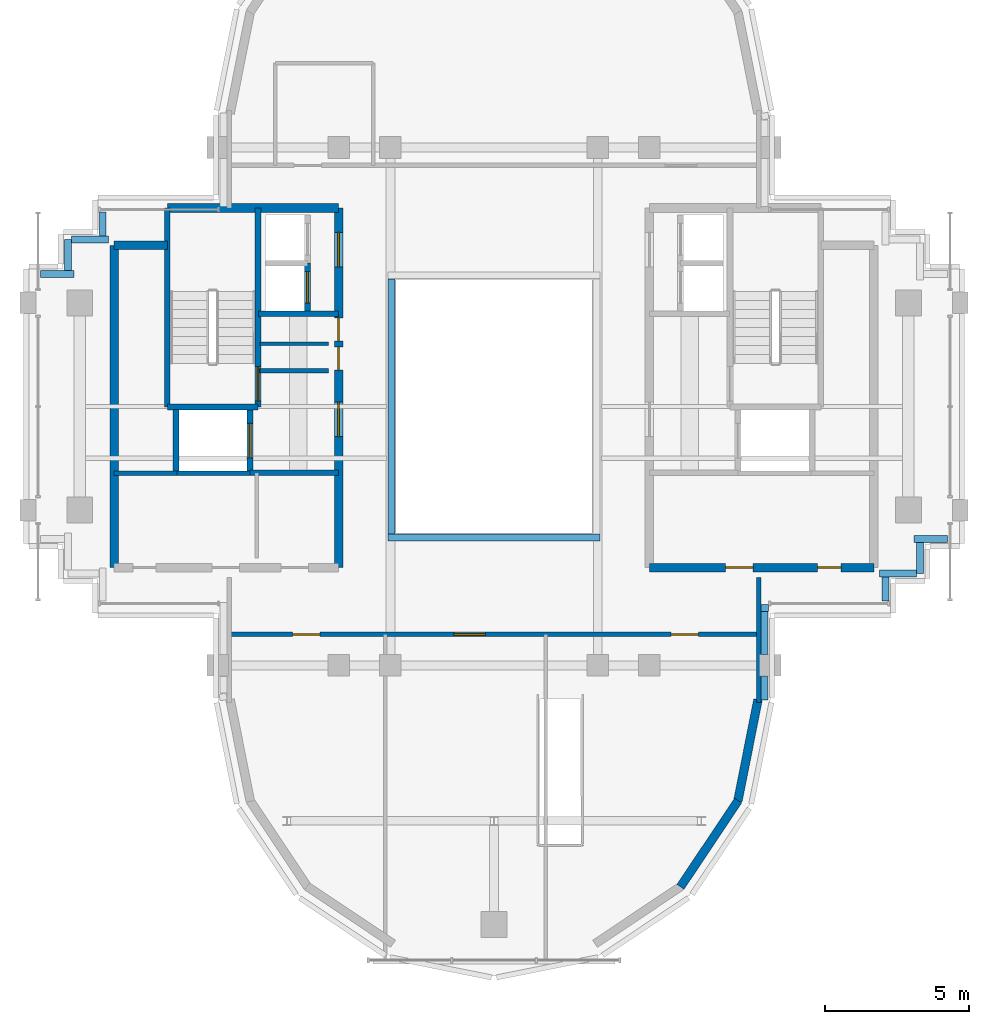
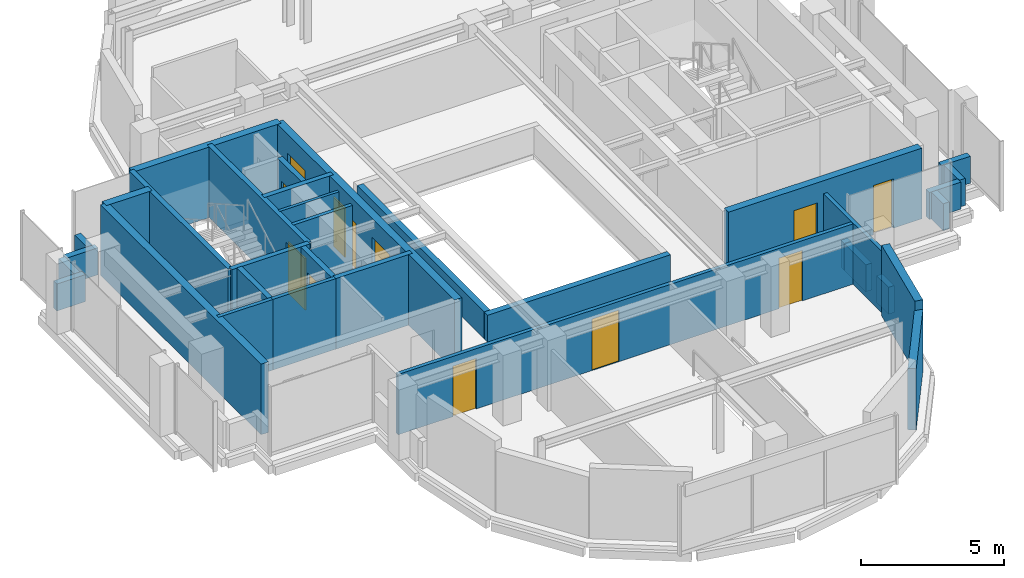
# One storey, part 7 of 11: 34 walls, 12 doors, 12 openings.
"""IFC4 building model written with IfcOpenShell, lengths in metres."""

from ifc_helpers import new_model, si_unit, direction, frame, frame_2d, origin, place, context, subcontext, project, spatial, rectangle, extrude, source, transform, mapped, material, layer, layer_set, type_object, element, fill, save


model = new_model("IFC4")

# Units and contexts
model_context = context("Model", 3, precision=1e-05, world=origin(), true_north=direction((0.0, 1.0)))
body_context = subcontext(model_context, "Body", "Model", "MODEL_VIEW")
ifc_project = project(units=[si_unit("LENGTHUNIT", "METRE"), si_unit("AREAUNIT", "SQUARE_METRE"), si_unit("VOLUMEUNIT", "CUBIC_METRE"), si_unit("PLANEANGLEUNIT", "RADIAN"), si_unit("MASSUNIT", "GRAM", prefix="KILO")], contexts=[model_context])

# Site, building, storey
site_placement = place(None, origin())
site = spatial("IfcSite", under=ifc_project, at=site_placement, CompositionType="ELEMENT")
building_placement = place(site_placement, origin())
building = spatial("IfcBuilding", under=site, at=building_placement, Name="Keilestroom Media Tower", CompositionType="ELEMENT")
storey_placement = place(building_placement, frame((0.0, 0.0, 255.60009765625)))
storey = spatial("IfcBuildingStorey", under=building, at=storey_placement, Name="L71", CompositionType="ELEMENT", Elevation=255.60009765625)

# Walls
ifc_material_1 = material(Name="Precast concrete C40/50", Category="concrete")
ifc_layer_1 = layer(ifc_material_1, 0.300048828125)
ifc_layer_set_1 = layer_set([ifc_layer_1], Name="Precast concrete C40/50")
wall_type_1 = type_object("IfcWallType", Name="Exterior-Masonry-Spandrel-Wall-300", PredefinedType="SOLIDWALL", material=ifc_layer_set_1)
wall_1_placement = place(storey_placement, frame((6.47705078125, -16.697998046875, 0.0), z_axis=(0.0, 0.0, 1.0), x_axis=(0.555574187116, 0.831466970246, 0.0)))
element("IfcWall", 1, at=wall_1_placement, inside=storey, type_object=wall_type_1, Name="L71 Lobe Facet Precast Frame Wall 11", PredefinedType="SOLIDWALL", context=body_context, shape_type="SweptSolid", body=[
    extrude(rectangle(XDim=3.608642578125, YDim=0.300048828125, at=frame_2d((1.80419921875, 0.0))), origin(), (0.0, 0.0, 1.0), 2.60986328125),
])
wall_2_placement = place(storey_placement, frame((8.470703125, -13.724609375, 0.0), z_axis=(0.0, 0.0, 1.0), x_axis=(0.195114232679, 0.980780523974, 0.0)))
element("IfcWall", 2, at=wall_2_placement, inside=storey, type_object=wall_type_1, Name="L71 Lobe Facet Precast Frame Wall 12", PredefinedType="SOLIDWALL", context=body_context, shape_type="SweptSolid", body=[
    extrude(rectangle(XDim=3.608642578125, YDim=0.300048828125, at=frame_2d((1.80419921875, 0.0))), origin(), (0.0, 0.0, 1.0), 3.010009765625),
])
ifc_material_2 = material(Name="Gypsum Plasterboard & Steel Stud", Category="steel")
ifc_layer_2 = layer(ifc_material_2, 0.1201171875)
ifc_layer_set_2 = layer_set([ifc_layer_2], Name="Gypsum Plasterboard & Steel Stud")
wall_type_2 = type_object("IfcWallType", Name="Interior-Partition-Wall-120", PredefinedType="PARTITIONING", material=ifc_layer_set_2)
wall_3_placement = place(storey_placement, frame((-8.139892578125, 2.179931640625, 0.0), z_axis=(0.0, 0.0, 1.0), x_axis=(1.0, 0.0, 0.0)))
element("IfcWall", 3, at=wall_3_placement, inside=storey, type_object=wall_type_2, Name="L71 Interior Wall WP-L71-CNW-N", PredefinedType="PARTITIONING", context=body_context, shape_type="SweptSolid", body=[
    extrude(rectangle(XDim=2.389892578125, YDim=0.1201171875, at=frame_2d((1.19482421875, 0.0))), origin(), (0.0, 0.0, 1.0), 3.010009765625),
])
ifc_layer_3 = layer(ifc_material_2, 0.14990234375)
ifc_layer_set_3 = layer_set([ifc_layer_3], Name="Gypsum Plasterboard & Steel Stud")
wall_type_3 = type_object("IfcWallType", Name="Interior-Partition-Wall-150", PredefinedType="PARTITIONING", material=ifc_layer_set_3)
wall_4_placement = place(storey_placement, frame((-8.139892578125, 1.239990234375, 0.0), z_axis=(0.0, 0.0, 1.0), x_axis=(1.0, 0.0, 0.0)))
element("IfcWall", 4, at=wall_4_placement, inside=storey, type_object=wall_type_3, Name="L71 Interior Wall WP-L71-FFW-TOP", PredefinedType="PARTITIONING", context=body_context, shape_type="SweptSolid", body=[
    extrude(rectangle(XDim=2.389892578125, YDim=0.14990234375, at=frame_2d((1.19482421875, 0.0))), origin(), (0.0, 0.0, 1.0), 3.010009765625),
])
wall_5_placement = place(storey_placement, frame((-13.199951171875, -2.320068359375, 0.0), z_axis=(0.0, 0.0, 1.0), x_axis=(1.0, 0.0, 0.0)))
element("IfcWall", 5, at=wall_5_placement, inside=storey, type_object=wall_type_3, Name="L71 Interior Wall WP-L71-RECLW-N", PredefinedType="PARTITIONING", context=body_context, shape_type="SweptSolid", body=[
    extrude(rectangle(XDim=2.179931640625, YDim=0.14990234375, at=frame_2d((1.08984375, 0.0))), origin(), (0.0, 0.0, 1.0), 3.010009765625),
])
wall_6_placement = place(storey_placement, frame((-11.0400390625, -2.320068359375, 0.0), z_axis=(0.0, 0.0, 1.0), x_axis=(1.0, 0.0, 0.0)))
element("IfcWall", 6, at=wall_6_placement, inside=storey, type_object=wall_type_3, Name="L71 Interior Wall WP-L71-RECMW-N", PredefinedType="PARTITIONING", context=body_context, shape_type="SweptSolid", body=[
    extrude(rectangle(XDim=2.56005859375, YDim=0.14990234375, at=frame_2d((1.280029296875, 0.0))), origin(), (0.0, 0.0, 1.0), 3.010009765625),
])

# Wall, openings, doors
wall_7_placement = place(storey_placement, frame((-9.199951171875, -7.919921875, 0.0), z_axis=(0.0, 0.0, 1.0), x_axis=(1.0, 0.0, 0.0)))
wall_7 = element("IfcWall", 7, at=wall_7_placement, inside=storey, type_object=wall_type_3, Name="L71 Interior Wall WP-L71-SL-BASE", PredefinedType="PARTITIONING", context=body_context, shape_type="SweptSolid", body=[
    extrude(rectangle(XDim=18.39990234375, YDim=0.14990234375, at=frame_2d((9.199951171875, 0.0))), origin(), (0.0, 0.0, 1.0), 2.56982421875),
])
opening_1_placement = place(wall_7_placement, frame((2.199951171875, 0.0, 0.0)))
opening_1 = element("IfcOpeningElement", 8, at=opening_1_placement, cuts=wall_7, Name="Opening DI-03", PredefinedType="OPENING", context=body_context, shape_type="SweptSolid", body=[
    extrude(rectangle(XDim=0.949951171875, YDim=2.14990234375, at=frame_2d((0.47509765625, 1.074951171875))), frame((0.0, 0.0849609375, 0.0), z_axis=(0.0, -1.0, 0.0), x_axis=(1.0, 0.0, 0.0)), (0.0, 0.0, 1.0), 0.169921875),
])
opening_2_placement = place(wall_7_placement, frame((7.800048828125, 0.0, 0.0)))
opening_2 = element("IfcOpeningElement", 9, at=opening_2_placement, cuts=wall_7, Name="Opening DI-04", PredefinedType="OPENING", context=body_context, shape_type="SweptSolid", body=[
    extrude(rectangle(XDim=1.10009765625, YDim=2.199951171875, at=frame_2d((0.550048828125, 1.10009765625))), frame((0.0, 0.0849609375, 0.0), z_axis=(0.0, -1.0, 0.0), x_axis=(1.0, 0.0, 0.0)), (0.0, 0.0, 1.0), 0.169921875),
])
opening_3_placement = place(wall_7_placement, frame((15.35009765625, 0.0, 0.0)))
opening_3 = element("IfcOpeningElement", 10, at=opening_3_placement, cuts=wall_7, Name="Opening DI-03", PredefinedType="OPENING", context=body_context, shape_type="SweptSolid", body=[
    extrude(rectangle(XDim=0.949951171875, YDim=2.14990234375, at=frame_2d((0.47509765625, 1.074951171875))), frame((0.0, 0.0849609375, 0.0), z_axis=(0.0, -1.0, 0.0), x_axis=(1.0, 0.0, 0.0)), (0.0, 0.0, 1.0), 0.169921875),
])
ifc_material_3 = material(Name="Lacquered European Oak Leaf", Category="wood")
door_type_1 = type_object("IfcDoorType", Name="Interior-Room-And-Suite-Door-DI-03", OperationType="NOTDEFINED", PredefinedType="DOOR", material=ifc_material_3)
shared_shape_1 = source(origin(), body_context, "Body", "SweptSolid", [
    extrude(rectangle(XDim=0.949951171875, YDim=2.14990234375, at=frame_2d((0.47509765625, 1.074951171875))), frame((0.0, 0.02490234375, 0.0), z_axis=(0.0, -1.0, 0.0), x_axis=(1.0, 0.0, 0.0)), (0.0, 0.0, 1.0), 0.050048828125),
])
door_1_placement = place(opening_1_placement, origin())
door_1 = element("IfcDoor", 11, at=door_1_placement, inside=storey, type_object=door_type_1, Name="L71 Interior Door DI-L71-DSL-1", OperationType="SINGLE_SWING_RIGHT", OverallHeight=2.14990234375, OverallWidth=0.949951171875, PredefinedType="DOOR", context=body_context, shape_type="MappedRepresentation", body=[
    mapped(shared_shape_1, transform((0.0, 0.0, 0.0), x_axis=(1.0, 0.0, 0.0), y_axis=(0.0, 1.0, 0.0), z_axis=(0.0, 0.0, 1.0), scale=1.0)),
])
fill(opening_1, door_1)
door_2_placement = place(opening_3_placement, origin())
door_2 = element("IfcDoor", 12, at=door_2_placement, inside=storey, type_object=door_type_1, Name="L71 Interior Door DI-L71-DSL-3", OperationType="SINGLE_SWING_RIGHT", OverallHeight=2.14990234375, OverallWidth=0.949951171875, PredefinedType="DOOR", context=body_context, shape_type="MappedRepresentation", body=[
    mapped(shared_shape_1, transform((0.0, 0.0, 0.0), x_axis=(1.0, 0.0, 0.0), y_axis=(0.0, 1.0, 0.0), z_axis=(0.0, 0.0, 1.0), scale=1.0)),
])
fill(opening_3, door_2)
ifc_material_4 = material(Name="Acoustic Glazed Aluminium Leaf", Category="aluminium")
door_type_2 = type_object("IfcDoorType", Name="Interior-Room-And-Suite-Door-DI-04", OperationType="NOTDEFINED", PredefinedType="DOOR", material=ifc_material_4)
shared_shape_2 = source(origin(), body_context, "Body", "SweptSolid", [
    extrude(rectangle(XDim=1.10009765625, YDim=2.199951171875, at=frame_2d((0.550048828125, 1.10009765625))), frame((0.0, 0.02490234375, 0.0), z_axis=(0.0, -1.0, 0.0), x_axis=(1.0, 0.0, 0.0)), (0.0, 0.0, 1.0), 0.050048828125),
])
door_3_placement = place(opening_2_placement, origin())
door_3 = element("IfcDoor", 13, at=door_3_placement, inside=storey, type_object=door_type_2, Name="L71 Interior Door DI-L71-DSL-2", OperationType="SINGLE_SWING_LEFT", OverallHeight=2.199951171875, OverallWidth=1.10009765625, PredefinedType="DOOR", context=body_context, shape_type="MappedRepresentation", body=[
    mapped(shared_shape_2, transform((0.0, 0.0, 0.0), x_axis=(1.0, 0.0, 0.0), y_axis=(0.0, 1.0, 0.0), z_axis=(0.0, 0.0, 1.0), scale=1.0)),
])
fill(opening_2, door_3)

# Walls
wall_8_placement = place(storey_placement, frame((9.199951171875, -10.280029296875, 0.0), z_axis=(0.0, 0.0, 1.0), x_axis=(0.0, 1.0, 0.0)))
element("IfcWall", 14, at=wall_8_placement, inside=storey, type_object=wall_type_3, Name="L71 Interior Wall WP-L71-SL-CHKE", PredefinedType="PARTITIONING", context=body_context, shape_type="SweptSolid", body=[
    extrude(rectangle(XDim=4.340087890625, YDim=0.14990234375, at=frame_2d((2.169921875, 0.0))), origin(), (0.0, 0.0, 1.0), 2.60986328125),
])
ifc_material_5 = material(Name="Concrete C50/60", Category="concrete")
ifc_layer_4 = layer(ifc_material_5, 0.300048828125)
ifc_layer_set_4 = layer_set([ifc_layer_4], Name="Concrete C50/60")
wall_type_4 = type_object("IfcWallType", Name="Reinforced-Concrete-Core-Shear-Wall-300", PredefinedType="SHEAR", material=ifc_layer_set_4)
wall_9_placement = place(storey_placement, frame((-13.199951171875, -5.60009765625, 0.0), z_axis=(0.0, 0.0, 1.0), x_axis=(0.0, 1.0, 0.0)))
element("IfcWall", 15, at=wall_9_placement, inside=storey, type_object=wall_type_4, Name="L71 Core Shear Wall WL-L71-CORE-W-OUT", PredefinedType="SHEAR", context=body_context, shape_type="SweptSolid", body=[
    extrude(rectangle(XDim=11.2001953125, YDim=0.300048828125, at=frame_2d((5.60009765625, 0.0))), origin(), (0.0, 0.0, 1.0), 3.010009765625),
])

# Wall, openings, doors
wall_10_placement = place(storey_placement, frame((-5.39990234375, -5.60009765625, 0.0), z_axis=(0.0, 0.0, 1.0), x_axis=(0.0, 1.0, 0.0)))
wall_10 = element("IfcWall", 16, at=wall_10_placement, inside=storey, type_object=wall_type_4, Name="L71 Core Shear Wall WL-L71-CORE-W-IN", PredefinedType="SHEAR", context=body_context, shape_type="SweptSolid", body=[
    extrude(rectangle(XDim=12.5, YDim=0.300048828125, at=frame_2d((6.25, 0.0))), origin(), (0.0, 0.0, 1.0), 3.010009765625),
])
opening_4_placement = place(wall_10_placement, frame((4.550048828125, 0.0, 0.0)))
opening_4 = element("IfcOpeningElement", 17, at=opening_4_placement, cuts=wall_10, Name="Opening DI-02", PredefinedType="OPENING", context=body_context, shape_type="SweptSolid", body=[
    extrude(rectangle(XDim=1.199951171875, YDim=2.199951171875, at=frame_2d((0.60009765625, 1.10009765625))), frame((0.0, 0.16015625, 0.0), z_axis=(0.0, -1.0, 0.0), x_axis=(1.0, 0.0, 0.0)), (0.0, 0.0, 1.0), 0.320068359375),
])
opening_5_placement = place(wall_10_placement, frame((10.449951171875, 0.0, 0.0)))
opening_5 = element("IfcOpeningElement", 18, at=opening_5_placement, cuts=wall_10, Name="Opening DI-02", PredefinedType="OPENING", context=body_context, shape_type="SweptSolid", body=[
    extrude(rectangle(XDim=1.199951171875, YDim=2.199951171875, at=frame_2d((0.60009765625, 1.10009765625))), frame((0.0, 0.16015625, 0.0), z_axis=(0.0, -1.0, 0.0), x_axis=(1.0, 0.0, 0.0)), (0.0, 0.0, 1.0), 0.320068359375),
])
opening_6_placement = place(wall_10_placement, frame((6.860107421875, 0.0, 0.0)))
opening_6 = element("IfcOpeningElement", 19, at=opening_6_placement, cuts=wall_10, Name="Opening DI-06", PredefinedType="OPENING", context=body_context, shape_type="SweptSolid", body=[
    extrude(rectangle(XDim=0.800048828125, YDim=2.10009765625, at=frame_2d((0.39990234375, 1.050048828125))), frame((0.0, 0.16015625, 0.0), z_axis=(0.0, -1.0, 0.0), x_axis=(1.0, 0.0, 0.0)), (0.0, 0.0, 1.0), 0.320068359375),
])
opening_7_placement = place(wall_10_placement, frame((7.8798828125, 0.0, 0.0)))
opening_7 = element("IfcOpeningElement", 20, at=opening_7_placement, cuts=wall_10, Name="Opening DI-06", PredefinedType="OPENING", context=body_context, shape_type="SweptSolid", body=[
    extrude(rectangle(XDim=0.800048828125, YDim=2.10009765625, at=frame_2d((0.39990234375, 1.050048828125))), frame((0.0, 0.16015625, 0.0), z_axis=(0.0, -1.0, 0.0), x_axis=(1.0, 0.0, 0.0)), (0.0, 0.0, 1.0), 0.320068359375),
])
ifc_material_6 = material(Name="Powder-Coated Steel Fire Leaf", Category="steel")
door_type_3 = type_object("IfcDoorType", Name="Interior-Compartment-Fire-Door-DI-02", OperationType="NOTDEFINED", PredefinedType="DOOR", material=ifc_material_6)
shared_shape_3 = source(origin(), body_context, "Body", "SweptSolid", [
    extrude(rectangle(XDim=1.199951171875, YDim=2.199951171875, at=frame_2d((0.60009765625, 1.10009765625))), frame((0.0, 0.02490234375, 0.0), z_axis=(0.0, -1.0, 0.0), x_axis=(1.0, 0.0, 0.0)), (0.0, 0.0, 1.0), 0.050048828125),
])
door_4_placement = place(opening_4_placement, origin())
door_4 = element("IfcDoor", 21, at=door_4_placement, inside=storey, type_object=door_type_3, Name="L71 W Firefighting Lobby Door", OperationType="SINGLE_SWING_RIGHT", OverallHeight=2.199951171875, OverallWidth=1.199951171875, PredefinedType="DOOR", context=body_context, shape_type="MappedRepresentation", body=[
    mapped(shared_shape_3, transform((0.0, 0.0, 0.0), x_axis=(1.0, 0.0, 0.0), y_axis=(0.0, 1.0, 0.0), z_axis=(0.0, 0.0, 1.0), scale=1.0)),
])
fill(opening_4, door_4)
door_5_placement = place(opening_5_placement, origin())
door_5 = element("IfcDoor", 22, at=door_5_placement, inside=storey, type_object=door_type_3, Name="L71 W High-Rise Lift Lobby Door", OperationType="SINGLE_SWING_LEFT", OverallHeight=2.199951171875, OverallWidth=1.199951171875, PredefinedType="DOOR", context=body_context, shape_type="MappedRepresentation", body=[
    mapped(shared_shape_3, transform((0.0, 0.0, 0.0), x_axis=(1.0, 0.0, 0.0), y_axis=(0.0, 1.0, 0.0), z_axis=(0.0, 0.0, 1.0), scale=1.0)),
])
fill(opening_5, door_5)
ifc_material_7 = material(Name="Powder-Coated Steel Service Leaf", Category="steel")
door_type_4 = type_object("IfcDoorType", Name="Interior-Riser-Access-Door-DI-06", OperationType="NOTDEFINED", PredefinedType="DOOR", material=ifc_material_7)
shared_shape_4 = source(origin(), body_context, "Body", "SweptSolid", [
    extrude(rectangle(XDim=0.800048828125, YDim=2.10009765625, at=frame_2d((0.39990234375, 1.050048828125))), frame((0.0, 0.02490234375, 0.0), z_axis=(0.0, -1.0, 0.0), x_axis=(1.0, 0.0, 0.0)), (0.0, 0.0, 1.0), 0.050048828125),
])
door_6_placement = place(opening_6_placement, origin())
door_6 = element("IfcDoor", 23, at=door_6_placement, inside=storey, type_object=door_type_4, Name="L71 West Core Switchroom Door", OperationType="SINGLE_SWING_LEFT", OverallHeight=2.10009765625, OverallWidth=0.800048828125, PredefinedType="DOOR", context=body_context, shape_type="MappedRepresentation", body=[
    mapped(shared_shape_4, transform((0.0, 0.0, 0.0), x_axis=(1.0, 0.0, 0.0), y_axis=(0.0, 1.0, 0.0), z_axis=(0.0, 0.0, 1.0), scale=1.0)),
])
fill(opening_6, door_6)
door_7_placement = place(opening_7_placement, origin())
door_7 = element("IfcDoor", 24, at=door_7_placement, inside=storey, type_object=door_type_4, Name="L71 West Core Closet Door", OperationType="SINGLE_SWING_LEFT", OverallHeight=2.10009765625, OverallWidth=0.800048828125, PredefinedType="DOOR", context=body_context, shape_type="MappedRepresentation", body=[
    mapped(shared_shape_4, transform((0.0, 0.0, 0.0), x_axis=(1.0, 0.0, 0.0), y_axis=(0.0, 1.0, 0.0), z_axis=(0.0, 0.0, 1.0), scale=1.0)),
])
fill(opening_7, door_7)

# Walls
wall_11_placement = place(storey_placement, frame((-11.35595703125, 6.89990234375, 0.0), z_axis=(0.0, 0.0, 1.0), x_axis=(1.0, 0.0, 0.0)))
element("IfcWall", 25, at=wall_11_placement, inside=storey, type_object=wall_type_4, Name="L71 Core Shear Wall WL-L71-CORE-W-N", PredefinedType="SHEAR", context=body_context, shape_type="SweptSolid", body=[
    extrude(rectangle(XDim=5.9560546875, YDim=0.300048828125, at=frame_2d((2.97802734375, 0.0))), origin(), (0.0, 0.0, 1.0), 3.010009765625),
])
wall_12_placement = place(storey_placement, frame((-13.199951171875, 5.60009765625, 0.0), z_axis=(0.0, 0.0, 1.0), x_axis=(1.0, 0.0, 0.0)))
element("IfcWall", 26, at=wall_12_placement, inside=storey, type_object=wall_type_4, Name="L71 Core Shear Wall WL-L71-CNW-N", PredefinedType="SHEAR", context=body_context, shape_type="SweptSolid", body=[
    extrude(rectangle(XDim=1.843994140625, YDim=0.300048828125, at=frame_2d((0.921875, 0.0))), origin(), (0.0, 0.0, 1.0), 3.010009765625),
])

# Wall, openings, doors
wall_13_placement = place(storey_placement, frame((5.39990234375, -5.60009765625, 0.0), z_axis=(0.0, 0.0, 1.0), x_axis=(1.0, 0.0, 0.0)))
wall_13 = element("IfcWall", 27, at=wall_13_placement, inside=storey, type_object=wall_type_4, Name="L71 Core Shear Wall WL-L71-CORE-E-S", PredefinedType="SHEAR", context=body_context, shape_type="SweptSolid", body=[
    extrude(rectangle(XDim=7.800048828125, YDim=0.300048828125, at=frame_2d((3.89990234375, 0.0))), origin(), (0.0, 0.0, 1.0), 3.010009765625),
])
opening_8_placement = place(wall_13_placement, frame((5.85009765625, 0.0, 0.0)))
opening_8 = element("IfcOpeningElement", 28, at=opening_8_placement, cuts=wall_13, Name="Opening DI-06", PredefinedType="OPENING", context=body_context, shape_type="SweptSolid", body=[
    extrude(rectangle(XDim=0.800048828125, YDim=2.10009765625, at=frame_2d((0.39990234375, 1.050048828125))), frame((0.0, 0.16015625, 0.0), z_axis=(0.0, -1.0, 0.0), x_axis=(1.0, 0.0, 0.0)), (0.0, 0.0, 1.0), 0.320068359375),
])
opening_9_placement = place(wall_13_placement, frame((2.64990234375, 0.0, 0.0)))
opening_9 = element("IfcOpeningElement", 29, at=opening_9_placement, cuts=wall_13, Name="Opening DI-03", PredefinedType="OPENING", context=body_context, shape_type="SweptSolid", body=[
    extrude(rectangle(XDim=0.949951171875, YDim=2.14990234375, at=frame_2d((0.47509765625, 1.074951171875))), frame((0.0, 0.16015625, 0.0), z_axis=(0.0, -1.0, 0.0), x_axis=(1.0, 0.0, 0.0)), (0.0, 0.0, 1.0), 0.320068359375),
])
door_8_placement = place(opening_8_placement, origin())
door_8 = element("IfcDoor", 30, at=door_8_placement, inside=storey, type_object=door_type_4, Name="L71 Reclaimed East Core Room Door", OperationType="SINGLE_SWING_RIGHT", OverallHeight=2.10009765625, OverallWidth=0.800048828125, PredefinedType="DOOR", context=body_context, shape_type="MappedRepresentation", body=[
    mapped(shared_shape_4, transform((0.0, 0.0, 0.0), x_axis=(1.0, 0.0, 0.0), y_axis=(0.0, 1.0, 0.0), z_axis=(0.0, 0.0, 1.0), scale=1.0)),
])
fill(opening_8, door_8)
door_9_placement = place(opening_9_placement, origin())
door_9 = element("IfcDoor", 31, at=door_9_placement, inside=storey, type_object=door_type_1, Name="L71 Reclaimed Mid East Room Door", OperationType="SINGLE_SWING_RIGHT", OverallHeight=2.14990234375, OverallWidth=0.949951171875, PredefinedType="DOOR", context=body_context, shape_type="MappedRepresentation", body=[
    mapped(shared_shape_1, transform((0.0, 0.0, 0.0), x_axis=(1.0, 0.0, 0.0), y_axis=(0.0, 1.0, 0.0), z_axis=(0.0, 0.0, 1.0), scale=1.0)),
])
fill(opening_9, door_9)

# Walls
ifc_layer_5 = layer(ifc_material_5, 0.199951171875)
ifc_layer_set_5 = layer_set([ifc_layer_5], Name="Concrete C50/60")
wall_type_5 = type_object("IfcWallType", Name="Reinforced-Concrete-Shaft-Wall-200", PredefinedType="SOLIDWALL", material=ifc_layer_set_5)
wall_14_placement = place(storey_placement, frame((-8.179931640625, 3.219970703125, 0.0), z_axis=(0.0, 0.0, 1.0), x_axis=(1.0, 0.0, 0.0)))
element("IfcWall", 32, at=wall_14_placement, inside=storey, type_object=wall_type_5, Name="L71 Core Shear Wall WL-L71-CORE-W-FFN", PredefinedType="SOLIDWALL", context=body_context, shape_type="SweptSolid", body=[
    extrude(rectangle(XDim=2.780029296875, YDim=0.199951171875, at=frame_2d((1.39013671875, 0.0))), origin(), (0.0, 0.0, 1.0), 3.010009765625),
])
wall_15_placement = place(storey_placement, frame((-8.47998046875, -2.300048828125, 0.0), z_axis=(0.0, 0.0, 1.0), x_axis=(1.0, 0.0, 0.0)))
element("IfcWall", 33, at=wall_15_placement, inside=storey, type_object=wall_type_5, Name="L71 Core Shear Wall WL-L71-CORE-W-FFS", PredefinedType="SOLIDWALL", context=body_context, shape_type="SweptSolid", body=[
    extrude(rectangle(XDim=3.080078125, YDim=0.199951171875, at=frame_2d((1.5400390625, 0.0))), origin(), (0.0, 0.0, 1.0), 3.010009765625),
])

# Wall, opening, door
wall_16_placement = place(storey_placement, frame((-8.2041015625, -0.01611328125, 0.0), z_axis=(0.0, 0.0, 1.0), x_axis=(0.0, 1.0, 0.0)))
wall_16 = element("IfcWall", 34, at=wall_16_placement, inside=storey, type_object=wall_type_5, Name="L71 Core Shear Wall WL-L71-STW-W-NEAR", PredefinedType="SOLIDWALL", context=body_context, shape_type="SweptSolid", body=[
    extrude(rectangle(XDim=6.916015625, YDim=0.199951171875, at=frame_2d((3.4580078125, 0.0))), origin(), (0.0, 0.0, 1.0), 3.010009765625),
])
opening_10_placement = place(wall_16_placement, frame((0.199951171875, 0.0, 0.0)))
opening_10 = element("IfcOpeningElement", 35, at=opening_10_placement, cuts=wall_16, Name="Opening DI-01S", PredefinedType="OPENING", context=body_context, shape_type="SweptSolid", body=[
    extrude(rectangle(XDim=1.199951171875, YDim=2.199951171875, at=frame_2d((0.60009765625, 1.10009765625))), frame((0.0, 0.10986328125, 0.0), z_axis=(0.0, -1.0, 0.0), x_axis=(1.0, 0.0, 0.0)), (0.0, 0.0, 1.0), 0.219970703125),
])
door_type_5 = type_object("IfcDoorType", Name="Interior-Stair-And-Core-Fire-Door-DI-01", OperationType="NOTDEFINED", PredefinedType="DOOR", material=ifc_material_6)
door_10_placement = place(opening_10_placement, origin())
door_10 = element("IfcDoor", 36, at=door_10_placement, inside=storey, type_object=door_type_5, Name="L71 Escape Stair ST-1 Fire Door", OperationType="SINGLE_SWING_LEFT", OverallHeight=2.199951171875, OverallWidth=1.199951171875, PredefinedType="DOOR", context=body_context, shape_type="MappedRepresentation", body=[
    mapped(shared_shape_3, transform((0.0, 0.0, 0.0), x_axis=(1.0, 0.0, 0.0), y_axis=(0.0, 1.0, 0.0), z_axis=(0.0, 0.0, 1.0), scale=1.0)),
])
fill(opening_10, door_10)

# Walls
wall_17_placement = place(storey_placement, frame((-11.35595703125, -0.01611328125, 0.0), z_axis=(0.0, 0.0, 1.0), x_axis=(0.0, 1.0, 0.0)))
element("IfcWall", 37, at=wall_17_placement, inside=storey, type_object=wall_type_5, Name="L71 Core Shear Wall WL-L71-STW-W-FAR", PredefinedType="SOLIDWALL", context=body_context, shape_type="SweptSolid", body=[
    extrude(rectangle(XDim=6.916015625, YDim=0.199951171875, at=frame_2d((3.4580078125, 0.0))), origin(), (0.0, 0.0, 1.0), 3.010009765625),
])
wall_18_placement = place(storey_placement, frame((-11.35595703125, -0.01611328125, 0.0), z_axis=(0.0, 0.0, 1.0), x_axis=(1.0, 0.0, 0.0)))
element("IfcWall", 38, at=wall_18_placement, inside=storey, type_object=wall_type_5, Name="L71 Core Shear Wall WL-L71-STW-W-S", PredefinedType="SOLIDWALL", context=body_context, shape_type="SweptSolid", body=[
    extrude(rectangle(XDim=3.15185546875, YDim=0.199951171875, at=frame_2d((1.575927734375, 0.0))), origin(), (0.0, 0.0, 1.0), 3.010009765625),
])
wall_19_placement = place(storey_placement, frame((-11.050048828125, -2.280029296875, 0.0), z_axis=(0.0, 0.0, 1.0), x_axis=(0.0, 1.0, 0.0)))
element("IfcWall", 39, at=wall_19_placement, inside=storey, type_object=wall_type_5, Name="L71 Core Shear Wall WL-L71-LSH-FFL-1-W", PredefinedType="SOLIDWALL", context=body_context, shape_type="SweptSolid", body=[
    extrude(rectangle(XDim=2.179931640625, YDim=0.199951171875, at=frame_2d((1.08984375, 0.0))), origin(), (0.0, 0.0, 1.0), 3.010009765625),
])

# Wall, opening, door
wall_20_placement = place(storey_placement, frame((-8.47998046875, -2.280029296875, 0.0), z_axis=(0.0, 0.0, 1.0), x_axis=(0.0, 1.0, 0.0)))
wall_20 = element("IfcWall", 40, at=wall_20_placement, inside=storey, type_object=wall_type_5, Name="L71 Core Shear Wall WL-L71-LSH-FFL-1-E", PredefinedType="SOLIDWALL", context=body_context, shape_type="SweptSolid", body=[
    extrude(rectangle(XDim=2.179931640625, YDim=0.199951171875, at=frame_2d((1.08984375, 0.0))), origin(), (0.0, 0.0, 1.0), 3.010009765625),
])
opening_11_placement = place(wall_20_placement, frame((0.489990234375, 0.0, 0.0)))
opening_11 = element("IfcOpeningElement", 41, at=opening_11_placement, cuts=wall_20, Name="Opening LD-02", PredefinedType="OPENING", context=body_context, shape_type="SweptSolid", body=[
    extrude(rectangle(XDim=1.199951171875, YDim=2.199951171875, at=frame_2d((0.60009765625, 1.10009765625))), frame((0.0, 0.10986328125, 0.0), z_axis=(0.0, -1.0, 0.0), x_axis=(1.0, 0.0, 0.0)), (0.0, 0.0, 1.0), 0.219970703125),
])
ifc_material_8 = material(Name="Brushed Stainless Steel Sliding Leaf", Category="steel")
door_type_6 = type_object("IfcDoorType", Name="Lift-Landing-Sliding-Door-LD-02", OperationType="SLIDING_TO_RIGHT", PredefinedType="DOOR", material=ifc_material_8)
door_11_placement = place(opening_11_placement, origin())
door_11 = element("IfcDoor", 42, at=door_11_placement, inside=storey, type_object=door_type_6, Name="L71 Lift FFL-1 Landing Sliding Door", OperationType="SLIDING_TO_RIGHT", OverallHeight=2.199951171875, OverallWidth=1.199951171875, PredefinedType="DOOR", context=body_context, shape_type="MappedRepresentation", body=[
    mapped(shared_shape_3, transform((0.0, 0.0, 0.0), x_axis=(1.0, 0.0, 0.0), y_axis=(0.0, 1.0, 0.0), z_axis=(0.0, 0.0, 1.0), scale=1.0)),
])
fill(opening_11, door_11)

wall_21_placement = place(storey_placement, frame((-6.47998046875, 3.300048828125, 0.0), z_axis=(0.0, 0.0, 1.0), x_axis=(0.0, 1.0, 0.0)))
wall_21 = element("IfcWall", 43, at=wall_21_placement, inside=storey, type_object=wall_type_5, Name="L71 Core Shear Wall WL-L71-LSH-PL-H1-E", PredefinedType="SOLIDWALL", context=body_context, shape_type="SweptSolid", body=[
    extrude(rectangle(XDim=1.679931640625, YDim=0.199951171875, at=frame_2d((0.83984375, 0.0))), origin(), (0.0, 0.0, 1.0), 3.010009765625),
])
opening_12_placement = place(wall_21_placement, frame((0.2900390625, 0.0, 0.0)))
opening_12 = element("IfcOpeningElement", 44, at=opening_12_placement, cuts=wall_21, Name="Opening LD-01", PredefinedType="OPENING", context=body_context, shape_type="SweptSolid", body=[
    extrude(rectangle(XDim=1.10009765625, YDim=2.199951171875, at=frame_2d((0.550048828125, 1.10009765625))), frame((0.0, 0.10986328125, 0.0), z_axis=(0.0, -1.0, 0.0), x_axis=(1.0, 0.0, 0.0)), (0.0, 0.0, 1.0), 0.219970703125),
])
door_type_7 = type_object("IfcDoorType", Name="Lift-Landing-Sliding-Door-LD-01", OperationType="SLIDING_TO_LEFT", PredefinedType="DOOR", material=ifc_material_8)
door_12_placement = place(opening_12_placement, origin())
door_12 = element("IfcDoor", 45, at=door_12_placement, inside=storey, type_object=door_type_7, Name="L71 Lift PL-H1 Landing Sliding Door", OperationType="SLIDING_TO_LEFT", OverallHeight=2.199951171875, OverallWidth=1.10009765625, PredefinedType="DOOR", context=body_context, shape_type="MappedRepresentation", body=[
    mapped(shared_shape_2, transform((0.0, 0.0, 0.0), x_axis=(1.0, 0.0, 0.0), y_axis=(0.0, 1.0, 0.0), z_axis=(0.0, 0.0, 1.0), scale=1.0)),
])
fill(opening_12, door_12)

# Walls
ifc_layer_6 = layer(ifc_material_1, 0.239990234375)
ifc_layer_set_6 = layer_set([ifc_layer_6], Name="Precast concrete C40/50")
wall_type_6 = type_object("IfcWallType", Name="Roof-And-Terrace-Parapet-Wall-240", PredefinedType="PARAPET", material=ifc_layer_set_6)
wall_22_placement = place(storey_placement, frame((15.757080078125, -4.60009765625, 0.0), z_axis=(0.0, 0.0, 1.0), x_axis=(-1.0, 0.0, 0.0)))
element("IfcWall", 46, at=wall_22_placement, inside=storey, type_object=wall_type_6, Name="L71 Perimeter Edge Parapet Wall 01", PredefinedType="PARAPET", context=body_context, shape_type="SweptSolid", body=[
    extrude(rectangle(XDim=1.156982421875, YDim=0.239990234375, at=frame_2d((0.57861328125, 0.0))), origin(), (0.0, 0.0, 1.0), 1.14990234375),
])
wall_23_placement = place(storey_placement, frame((14.800048828125, -4.722900390625, 0.0), z_axis=(0.0, 0.0, 1.0), x_axis=(0.0, -1.0, 0.0)))
element("IfcWall", 47, at=wall_23_placement, inside=storey, type_object=wall_type_6, Name="L71 Perimeter Edge Parapet Wall 02", PredefinedType="PARAPET", context=body_context, shape_type="SweptSolid", body=[
    extrude(rectangle(XDim=1.0771484375, YDim=0.239990234375, at=frame_2d((0.53857421875, 0.0))), origin(), (0.0, 0.0, 1.0), 1.14990234375),
])
wall_24_placement = place(storey_placement, frame((14.677001953125, -5.800048828125, 0.0), z_axis=(0.0, 0.0, 1.0), x_axis=(-1.0, 0.0, 0.0)))
element("IfcWall", 48, at=wall_24_placement, inside=storey, type_object=wall_type_6, Name="L71 Perimeter Edge Parapet Wall 03", PredefinedType="PARAPET", context=body_context, shape_type="SweptSolid", body=[
    extrude(rectangle(XDim=1.277099609375, YDim=0.239990234375, at=frame_2d((0.638671875, 0.0))), origin(), (0.0, 0.0, 1.0), 1.14990234375),
])
wall_25_placement = place(storey_placement, frame((13.60009765625, -5.923095703125, 0.0), z_axis=(0.0, 0.0, 1.0), x_axis=(0.0, -1.0, 0.0)))
element("IfcWall", 49, at=wall_25_placement, inside=storey, type_object=wall_type_6, Name="L71 Perimeter Edge Parapet Wall 04", PredefinedType="PARAPET", context=body_context, shape_type="SweptSolid", body=[
    extrude(rectangle(XDim=0.833984375, YDim=0.239990234375, at=frame_2d((0.4169921875, 0.0))), origin(), (0.0, 0.0, 1.0), 1.14990234375),
])
wall_26_placement = place(storey_placement, frame((9.547119140625, -7.0, 0.0), z_axis=(0.0, 0.0, 1.0), x_axis=(-1.0, 0.0, 0.0)))
element("IfcWall", 50, at=wall_26_placement, inside=storey, type_object=wall_type_6, Name="L71 Perimeter Edge Parapet Wall 05", PredefinedType="PARAPET", context=body_context, shape_type="SweptSolid", body=[
    extrude(rectangle(XDim=0.26904296875, YDim=0.239990234375, at=frame_2d((0.134521484375, 0.0))), origin(), (0.0, 0.0, 1.0), 1.14990234375),
])
wall_27_placement = place(storey_placement, frame((9.39990234375, -7.123046875, 0.0), z_axis=(0.0, 0.0, 1.0), x_axis=(0.0, -1.0, 0.0)))
element("IfcWall", 51, at=wall_27_placement, inside=storey, type_object=wall_type_6, Name="L71 Perimeter Edge Parapet Wall 06", PredefinedType="PARAPET", context=body_context, shape_type="SweptSolid", body=[
    extrude(rectangle(XDim=1.4990234375, YDim=0.239990234375, at=frame_2d((0.74951171875, 0.0))), origin(), (0.0, 0.0, 1.0), 1.14990234375),
])
wall_28_placement = place(storey_placement, frame((9.39990234375, -9.3779296875, 0.0), z_axis=(0.0, 0.0, 1.0), x_axis=(0.0, -1.0, 0.0)))
element("IfcWall", 52, at=wall_28_placement, inside=storey, type_object=wall_type_6, Name="L71 Perimeter Edge Parapet Wall 07", PredefinedType="PARAPET", context=body_context, shape_type="SweptSolid", body=[
    extrude(rectangle(XDim=0.824951171875, YDim=0.239990234375, at=frame_2d((0.41259765625, 0.0))), origin(), (0.0, 0.0, 1.0), 1.14990234375),
])
wall_29_placement = place(storey_placement, frame((-15.757080078125, 4.60009765625, 0.0), z_axis=(0.0, 0.0, 1.0), x_axis=(1.0, 0.0, 0.0)))
element("IfcWall", 53, at=wall_29_placement, inside=storey, type_object=wall_type_6, Name="L71 Perimeter Edge Parapet Wall 15", PredefinedType="PARAPET", context=body_context, shape_type="SweptSolid", body=[
    extrude(rectangle(XDim=1.156982421875, YDim=0.239990234375, at=frame_2d((0.57861328125, 0.0))), origin(), (0.0, 0.0, 1.0), 1.14990234375),
])
wall_30_placement = place(storey_placement, frame((-14.800048828125, 4.722900390625, 0.0), z_axis=(0.0, 0.0, 1.0), x_axis=(0.0, 1.0, 0.0)))
element("IfcWall", 54, at=wall_30_placement, inside=storey, type_object=wall_type_6, Name="L71 Perimeter Edge Parapet Wall 16", PredefinedType="PARAPET", context=body_context, shape_type="SweptSolid", body=[
    extrude(rectangle(XDim=1.0771484375, YDim=0.239990234375, at=frame_2d((0.53857421875, 0.0))), origin(), (0.0, 0.0, 1.0), 1.14990234375),
])
wall_31_placement = place(storey_placement, frame((-14.677001953125, 5.800048828125, 0.0), z_axis=(0.0, 0.0, 1.0), x_axis=(1.0, 0.0, 0.0)))
element("IfcWall", 55, at=wall_31_placement, inside=storey, type_object=wall_type_6, Name="L71 Perimeter Edge Parapet Wall 17", PredefinedType="PARAPET", context=body_context, shape_type="SweptSolid", body=[
    extrude(rectangle(XDim=1.277099609375, YDim=0.239990234375, at=frame_2d((0.638671875, 0.0))), origin(), (0.0, 0.0, 1.0), 1.14990234375),
])
wall_32_placement = place(storey_placement, frame((-13.60009765625, 5.923095703125, 0.0), z_axis=(0.0, 0.0, 1.0), x_axis=(0.0, 1.0, 0.0)))
element("IfcWall", 56, at=wall_32_placement, inside=storey, type_object=wall_type_6, Name="L71 Perimeter Edge Parapet Wall 18", PredefinedType="PARAPET", context=body_context, shape_type="SweptSolid", body=[
    extrude(rectangle(XDim=0.833984375, YDim=0.239990234375, at=frame_2d((0.4169921875, 0.0))), origin(), (0.0, 0.0, 1.0), 1.14990234375),
])
wall_33_placement = place(storey_placement, frame((-3.679931640625, -4.56005859375, 0.0), z_axis=(0.0, 0.0, 1.0), x_axis=(1.0, 0.0, 0.0)))
element("IfcWall", 57, at=wall_33_placement, inside=storey, type_object=wall_type_6, Name="L71 Central Atrium Guard Parapet S", PredefinedType="PARAPET", context=body_context, shape_type="SweptSolid", body=[
    extrude(rectangle(XDim=7.35986328125, YDim=0.239990234375, at=frame_2d((3.679931640625, 0.0))), origin(), (0.0, 0.0, 1.0), 1.14990234375),
])
wall_34_placement = place(storey_placement, frame((-3.56005859375, -4.43505859375, 0.0), z_axis=(0.0, 0.0, 1.0), x_axis=(0.0, 1.0, 0.0)))
element("IfcWall", 58, at=wall_34_placement, inside=storey, type_object=wall_type_6, Name="L71 Central Atrium Guard Parapet W", PredefinedType="PARAPET", context=body_context, shape_type="SweptSolid", body=[
    extrude(rectangle(XDim=8.8701171875, YDim=0.239990234375, at=frame_2d((4.43505859375, 0.0))), origin(), (0.0, 0.0, 1.0), 1.14990234375),
])

save(model, "model.ifc")
